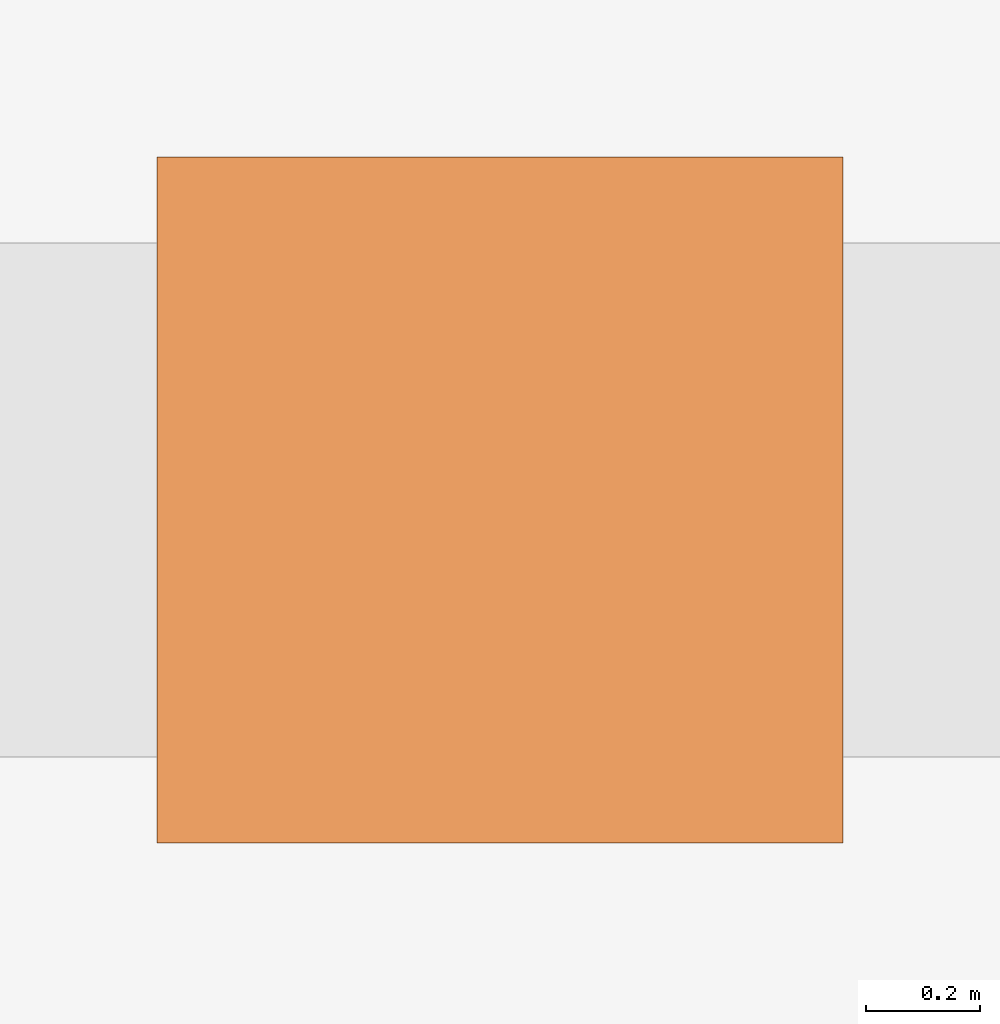
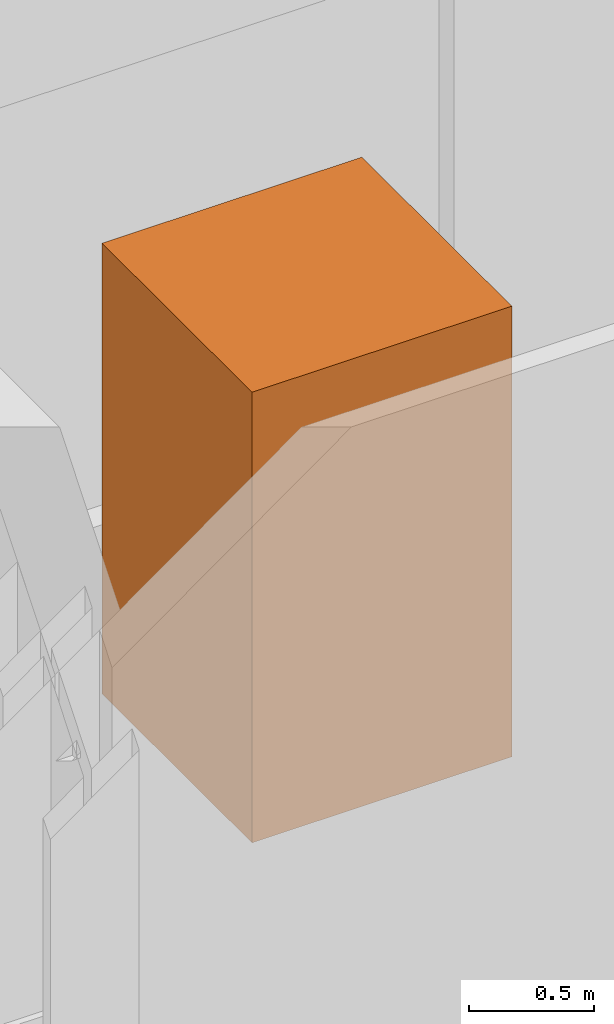
# One storey, part 8 of 8: 1 geographic element.
"""IFC4 building model written with IfcOpenShell, lengths in metres."""

from ifc_helpers import new_model, si_unit, direction, frame, origin, origin_2d, place, context, subcontext, project, spatial, rectangle, extrude, material, type_object, element, save


model = new_model("IFC4")

# Units and contexts
model_context = context("Model", 3, precision=1e-05, world=origin(), true_north=direction((0.0, 1.0)))
body_context = subcontext(model_context, "Body", "Model", "MODEL_VIEW")
ifc_project = project(units=[si_unit("LENGTHUNIT", "METRE"), si_unit("AREAUNIT", "SQUARE_METRE"), si_unit("VOLUMEUNIT", "CUBIC_METRE"), si_unit("PLANEANGLEUNIT", "RADIAN"), si_unit("MASSUNIT", "GRAM", prefix="KILO")], contexts=[model_context])

# Site, building, storey
site_placement = place(None, origin())
site = spatial("IfcSite", under=ifc_project, at=site_placement, CompositionType="ELEMENT")
building_placement = place(site_placement, origin())
building = spatial("IfcBuilding", under=site, at=building_placement, Name="Immortelle Media Tower", CompositionType="ELEMENT")
storey_placement = place(building_placement, frame((0.0, 0.0, 201.0)))
storey = spatial("IfcBuildingStorey", under=building, at=storey_placement, Name="L42", CompositionType="ELEMENT", Elevation=201.0)

# Geographic element
ifc_material = material(Name="Tree canopy foliage")
geographic_element_type = type_object("IfcGeographicElementType", Name="Tree", PredefinedType="USERDEFINED", material=ifc_material)
geographic_element_placement = place(storey_placement, frame((26.0, 1.550048828125, 0.60009765625), z_axis=(0.0, 0.0, 1.0), x_axis=(1.0, 0.0, 0.0)))
element("IfcGeographicElement", 1, at=geographic_element_placement, inside=storey, type_object=geographic_element_type, Name="Tree L42 S2", ObjectType="Tree", PredefinedType="USERDEFINED", context=body_context, shape_type="SweptSolid", body=[
    extrude(rectangle(XDim=1.199951171875, YDim=1.199951171875, at=origin_2d()), origin(), (0.0, 0.0, 1.0), 2.199951171875),
])

save(model, "model.ifc")
